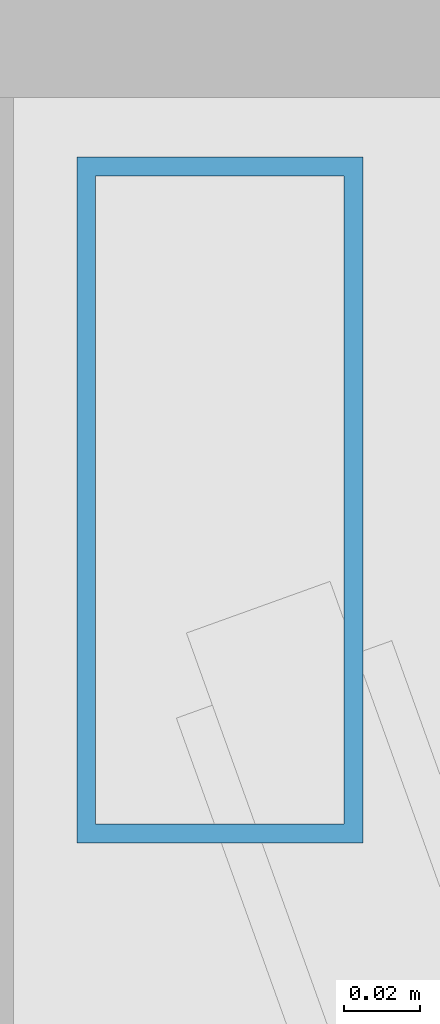
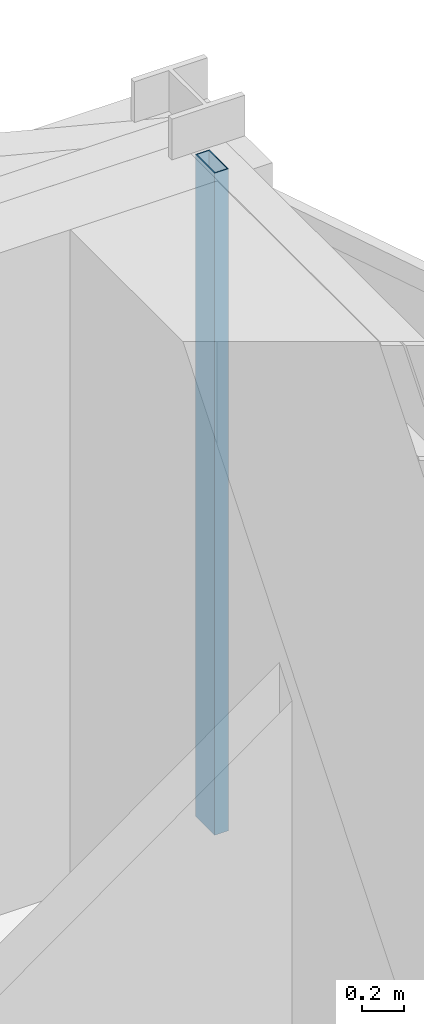
# One storey, part 17 of 25: 1 member, 1 element without a shape of its own.
"""IFC4 building model written with IfcOpenShell, lengths in metres."""

from ifc_helpers import new_model, si_unit, direction, frame, origin, origin_2d, place, context, subcontext, project, spatial, hollow_rectangle, extrude, material, layer, layer_set, material_profile, profile_set, type_object, element, aggregate, save


model = new_model("IFC4")

# Units and contexts
model_context = context("Model", 3, precision=1e-05, world=origin(), true_north=direction((0.0, 1.0)))
body_context = subcontext(model_context, "Body", "Model", "MODEL_VIEW")
ifc_project = project(units=[si_unit("LENGTHUNIT", "METRE"), si_unit("AREAUNIT", "SQUARE_METRE"), si_unit("VOLUMEUNIT", "CUBIC_METRE"), si_unit("PLANEANGLEUNIT", "RADIAN"), si_unit("MASSUNIT", "GRAM", prefix="KILO")], contexts=[model_context])

# Site, building, storey
site_placement = place(None, origin())
site = spatial("IfcSite", under=ifc_project, at=site_placement, CompositionType="ELEMENT")
building_placement = place(site_placement, origin())
building = spatial("IfcBuilding", under=site, at=building_placement, Name="Veymaron Broadcast Tower", CompositionType="ELEMENT")
storey_placement = place(building_placement, frame((0.0, 0.0, 169.5)))
storey = spatial("IfcBuildingStorey", under=building, at=storey_placement, Name="L39", CompositionType="ELEMENT", Elevation=169.5)

# Curtain wall, member
ifc_material_1 = material(Name="Anodised aluminium AA 6063-T6 and laminated low-E dark glass", Category="aluminium")
ifc_layer = layer(ifc_material_1, 0.179931640625)
ifc_layer_set = layer_set([ifc_layer], Name="Anodised aluminium AA 6063-T6 and laminated low-E dark glass")
curtain_wall_type = type_object("IfcCurtainWallType", Name="CW-SYS-03", PredefinedType="NOTDEFINED", material=ifc_layer_set)
curtain_wall_placement = place(storey_placement, origin())
curtain_wall = element("IfcCurtainWall", 1, at=curtain_wall_placement, inside=storey, type_object=curtain_wall_type, Name="L39 dark-glass curtain wall CW-L39-E3-1", PredefinedType="NOTDEFINED")
ifc_material_2 = material(Name="Anodised aluminium AA 6063-T6", Category="aluminium")
ifc_material_profile = material_profile(ifc_material_2, hollow_rectangle(XDim=0.074951171875, YDim=0.179931640625, WallThickness=0.0048828125, at=origin_2d()), Name="AL180X75X5")
ifc_profile_set = profile_set([ifc_material_profile], Name="Anodised aluminium AA 6063-T6")
member_type = type_object("IfcMemberType", Name="CW-MUL-02", PredefinedType="MULLION", material=ifc_profile_set)
member_placement = place(storey_placement, frame((54.558837890625, 31.700927734375, 0.0), z_axis=(0.0, 0.0, 1.0), x_axis=(1.0, 0.0, 0.0)))
member = element("IfcMember", 2, at=member_placement, type_object=member_type, Name="CW-L39-E3-1 mullion 2", PredefinedType="MULLION", context=body_context, shape_type="SweptSolid", body=[
    extrude(hollow_rectangle(XDim=0.074951171875, YDim=0.179931640625, WallThickness=0.0048828125, at=origin_2d()), origin(), (0.0, 0.0, 1.0), 3.81005859375),
])
aggregate(curtain_wall, [member])

save(model, "model.ifc")
